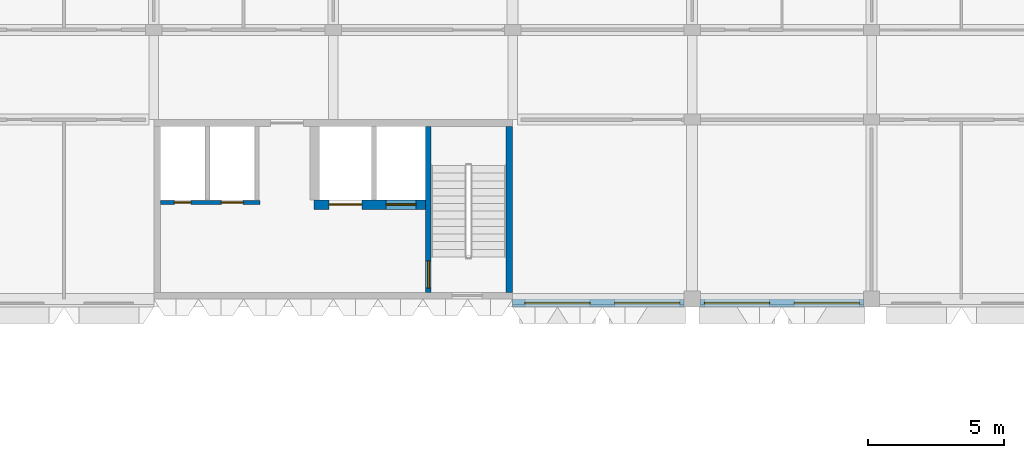
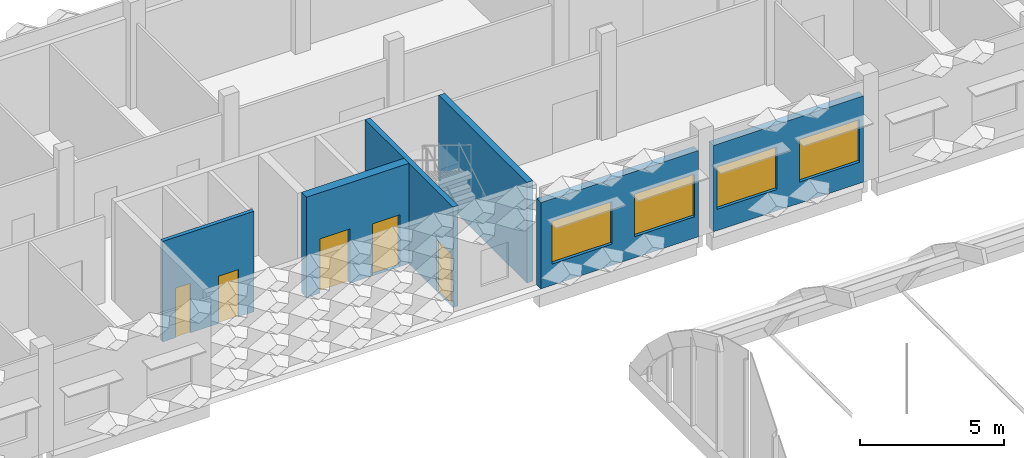
# One storey, part 50 of 102: 6 walls, 5 doors, 4 windows, 9 openings.
"""IFC4 building model written with IfcOpenShell, lengths in metres."""

import ifcopenshell
import ifcopenshell.guid

model = None  # the IFC model being written
_history = None  # IfcOwnerHistory: only IFC2X3 demands one
_inside = {}  # id of a spatial element -> (the spatial element, [elements in it])
_under = {}  # id of a project, library or spatial element -> (it, [spatial elements below it])
_declared = {}  # id of a project -> (the project, [libraries it declares])
_typed = {}  # id of a type object -> (the type object, [elements of that type])
_made_of = {}  # id of a material, layer set ... -> (it, [elements and type objects made of it])


def new_model(schema):
    """Start an empty IFC model of exactly this schema.

    Asked for "IFC4X3", IfcOpenShell would pick the latest addendum, in which some entities
    have other attributes; the version numbers below select the first issue.
    IFC2X3 requires an IfcOwnerHistory on every rooted entity: one is made here for all.
    """
    global model, _history
    if schema == "IFC4X3":
        model = ifcopenshell.file(schema_version=(4, 3, 0, 0))
    else:
        model = ifcopenshell.file(schema=schema)
    _inside.clear()
    _under.clear()
    _declared.clear()
    _typed.clear()
    _made_of.clear()
    _history = None
    if model.schema == "IFC2X3":
        org = make("IfcOrganization", Name="unknown")
        user = make(
            "IfcPersonAndOrganization",
            ThePerson=make("IfcPerson", FamilyName="unknown"),
            TheOrganization=org,
        )
        app = make(
            "IfcApplication",
            ApplicationDeveloper=org,
            Version="unknown",
            ApplicationFullName="unknown",
            ApplicationIdentifier="unknown",
        )
        _history = make(
            "IfcOwnerHistory",
            OwningUser=user,
            OwningApplication=app,
            ChangeAction="ADDED",
            CreationDate=0,
        )
    return model


def make(cls, **values):
    """One entity of the class cls with the attributes given. An attribute that is None is left unset."""
    return model.create_entity(
        cls, **{name: value for name, value in values.items() if value is not None}
    )


def rooted(cls, **values):
    """An entity with a GlobalId (a new one), such as an element, a storey or a relation."""
    return make(cls, GlobalId=ifcopenshell.guid.new(), OwnerHistory=_history, **values)


def si_unit(unit_type, name, prefix=None):
    """IfcSIUnit, for example si_unit("LENGTHUNIT", "METRE", prefix="MILLI")."""
    return make("IfcSIUnit", UnitType=unit_type, Prefix=prefix, Name=name)


def assignment(units):
    """IfcUnitAssignment: the units of a project."""
    return None if units is None else make("IfcUnitAssignment", Units=units)


def point(xyz):
    """IfcCartesianPoint."""
    return None if xyz is None else make("IfcCartesianPoint", Coordinates=xyz)


def direction(xyz):
    """IfcDirection."""
    return None if xyz is None else make("IfcDirection", DirectionRatios=xyz)


def frame(location, z_axis=None, x_axis=None):
    """IfcAxis2Placement3D, a coordinate frame: its origin and axes. An axis left out is left unset."""
    return make(
        "IfcAxis2Placement3D",
        Location=point(location),
        Axis=direction(z_axis),
        RefDirection=direction(x_axis),
    )


def frame_2d(location, x_axis=None):
    """IfcAxis2Placement2D, a coordinate frame in the plane: its origin and x axis."""
    return make(
        "IfcAxis2Placement2D", Location=point(location), RefDirection=direction(x_axis)
    )


def origin():
    """The frame at (0, 0, 0) with its axes left unset."""
    return frame((0.0, 0.0, 0.0))


def place(relative_to, where):
    """IfcLocalPlacement: puts the frame where relative to a parent placement (None: the world)."""
    return make(
        "IfcLocalPlacement", PlacementRelTo=relative_to, RelativePlacement=where
    )


def context(
    kind, dimensions, precision=None, world=None, true_north=None, identifier=None
):
    """IfcGeometricRepresentationContext, for example the 3D "Model" context."""
    return make(
        "IfcGeometricRepresentationContext",
        ContextIdentifier=identifier,
        ContextType=kind,
        CoordinateSpaceDimension=dimensions,
        Precision=precision,
        WorldCoordinateSystem=world,
        TrueNorth=true_north,
    )


def subcontext(parent, identifier, kind, view, scale=None):
    """IfcGeometricRepresentationSubContext, for example "Body" below "Model"."""
    return make(
        "IfcGeometricRepresentationSubContext",
        ContextIdentifier=identifier,
        ContextType=kind,
        ParentContext=parent,
        TargetScale=scale,
        TargetView=view,
    )


def project(units=None, contexts=None):
    """IfcProject with its units and contexts."""
    return rooted(
        "IfcProject",
        Name="project",
        RepresentationContexts=contexts,
        UnitsInContext=assignment(units),
    )


def spatial(cls, under=None, at=None, **own):
    """A site, building, storey or space (cls), placed at a placement, below another one or the project."""
    s = rooted(cls, ObjectPlacement=at, **own)
    if under is not None:
        _under.setdefault(under.id(), (under, []))[1].append(s)
    return s


def profile(cls, at=None, kind="AREA", **sizes):
    """A parametric profile (cls). Its sizes go by their IFC names, for example OverallWidth=200.0."""
    return make(cls, ProfileType=kind, Position=at, **sizes)


def rectangle(**sizes):
    """IfcRectangleProfileDef."""
    return profile("IfcRectangleProfileDef", **sizes)


def extrude(swept, where, along, depth):
    """IfcExtrudedAreaSolid: the profile swept, set in the frame where, extruded along a direction by depth."""
    return make(
        "IfcExtrudedAreaSolid",
        SweptArea=swept,
        Position=where,
        ExtrudedDirection=direction(along),
        Depth=depth,
    )


def shape(context_of_items, identifier, shape_type, items):
    """IfcShapeRepresentation: the items that make up one representation, for example the "Body"."""
    return make(
        "IfcShapeRepresentation",
        ContextOfItems=context_of_items,
        RepresentationIdentifier=identifier,
        RepresentationType=shape_type,
        Items=items,
    )


def material(Name=None, Category=None):
    """IfcMaterial."""
    return make("IfcMaterial", Name=Name, Category=Category)


def layer(
    of_material, thickness, ventilated=None, Name=None, Category=None, Priority=None
):
    """IfcMaterialLayer: one layer of a wall or slab, of a material (None: an air gap)."""
    return make(
        "IfcMaterialLayer",
        Material=of_material,
        LayerThickness=thickness,
        IsVentilated=ventilated,
        Name=Name,
        Category=Category,
        Priority=Priority,
    )


def layer_set(layers, Name=None):
    """IfcMaterialLayerSet."""
    return make("IfcMaterialLayerSet", MaterialLayers=layers, LayerSetName=Name)


def made_of(thing, what):
    """Note that an element or type object is made of a material, layer set ...; save() writes the relation."""
    if what is not None:
        _made_of.setdefault(what.id(), (what, []))[1].append(thing)
    return thing


def type_object(cls, material=None, **own):
    """A type object (cls), such as IfcWallType, which elements share."""
    return made_of(rooted(cls, **own), material)


def element(
    cls,
    number,
    at=None,
    inside=None,
    cuts=None,
    type_object=None,
    material=None,
    context=None,
    identifier="Body",
    shape_type=None,
    held_by="IfcProductDefinitionShape",
    body=None,
    shapes=None,
    **own,
):
    """One element of the class cls, such as IfcWall. Its Tag is "e" and its number.

    at: its placement. inside: the storey or other place that contains it. cuts: it is an
    opening in that element (IfcRelVoidsElement). A single representation is given by context,
    identifier, shape_type and body (its items); several are given by shapes. held_by: the class
    of the entity that holds the representations. save() writes the other relations.
    """
    e = rooted(cls, Tag="e%d" % number, ObjectPlacement=at, **own)
    if body is not None:
        shapes = [shape(context, identifier, shape_type, body)]
    if shapes is not None:
        e.Representation = make(held_by, Representations=shapes)
    if inside is not None:
        _inside.setdefault(inside.id(), (inside, []))[1].append(e)
    if cuts is not None:
        rooted(
            "IfcRelVoidsElement", RelatingBuildingElement=cuts, RelatedOpeningElement=e
        )
    if type_object is not None:
        _typed.setdefault(type_object.id(), (type_object, []))[1].append(e)
    return made_of(e, material)


def fill(opening, filler):
    """IfcRelFillsElement: the door or window that sits in an opening."""
    return rooted(
        "IfcRelFillsElement",
        RelatingOpeningElement=opening,
        RelatedBuildingElement=filler,
    )


def aggregate(whole, parts):
    """IfcRelAggregates: a whole, such as a stair, and the parts it consists of."""
    return rooted("IfcRelAggregates", RelatingObject=whole, RelatedObjects=parts)


def save(model, path):
    """Write the relations noted so far, then the file.

    IfcRelAggregates (storeys below a building ...), IfcRelContainedInSpatialStructure (elements
    in a storey), IfcRelDefinesByType, IfcRelAssociatesMaterial and IfcRelDeclares: one each for
    every whole, place, type object, material and project.
    """
    for whole, parts in _under.values():
        aggregate(whole, parts)
    for where, things in _inside.values():
        rooted(
            "IfcRelContainedInSpatialStructure",
            RelatedElements=things,
            RelatingStructure=where,
        )
    for kind, things in _typed.values():
        rooted("IfcRelDefinesByType", RelatedObjects=things, RelatingType=kind)
    for what, things in _made_of.values():
        rooted("IfcRelAssociatesMaterial", RelatedObjects=things, RelatingMaterial=what)
    for by, libraries in _declared.values():
        rooted("IfcRelDeclares", RelatingContext=by, RelatedDefinitions=libraries)
    model.write(path)


model = new_model("IFC4")

# Units and contexts
model_context = context("Model", 3, precision=1e-05, world=origin(), true_north=direction((0.0, 1.0)))
body_context = subcontext(model_context, "Body", "Model", "MODEL_VIEW")
ifc_project = project(units=[si_unit("LENGTHUNIT", "METRE"), si_unit("AREAUNIT", "SQUARE_METRE"), si_unit("VOLUMEUNIT", "CUBIC_METRE"), si_unit("PLANEANGLEUNIT", "RADIAN"), si_unit("MASSUNIT", "GRAM", prefix="KILO")], contexts=[model_context])

# Site, building, storey
site_placement = place(None, origin())
site = spatial("IfcSite", under=ifc_project, at=site_placement, CompositionType="ELEMENT")
building_placement = place(site_placement, origin())
building = spatial("IfcBuilding", under=site, at=building_placement, Name="Lantern Court Research Institute", CompositionType="ELEMENT")
storey_placement = place(building_placement, frame((0.0, 0.0, 9.89990234375)))
storey = spatial("IfcBuildingStorey", under=building, at=storey_placement, Name="L02", CompositionType="ELEMENT", Elevation=9.89990234375)

# Wall, openings, windows
ifc_material_1 = material(Name="Concrete C30/37", Category="concrete")
ifc_layer_1 = layer(ifc_material_1, 0.300048828125)
ifc_layer_set_1 = layer_set([ifc_layer_1], Name="Concrete C30/37")
wall_type_1 = type_object("IfcWallType", Name="Insulated concrete infill wall 300", PredefinedType="STANDARD", material=ifc_layer_set_1)
wall_1_placement = place(storey_placement, frame((59.10009765625, 82.35009765625, 0.0), z_axis=(0.0, 0.0, 1.0), x_axis=(-1.0, 0.0, 0.0)))
wall_1 = element("IfcWall", 1, at=wall_1_placement, inside=storey, type_object=wall_type_1, Name="Exterior wall EW162", PredefinedType="STANDARD", context=body_context, shape_type="SweptSolid", body=[
    extrude(rectangle(XDim=6.300048828125, YDim=0.300048828125, at=frame_2d((3.14990234375, 0.0))), origin(), (0.0, 0.0, 1.0), 3.650146484375),
])
opening_1_placement = place(wall_1_placement, frame((3.449951171875, 0.0, 0.89990234375)))
opening_1 = element("IfcOpeningElement", 2, at=opening_1_placement, cuts=wall_1, Name="Opening W13", PredefinedType="OPENING", context=body_context, shape_type="SweptSolid", body=[
    extrude(rectangle(XDim=2.39990234375, YDim=1.800048828125, at=frame_2d((1.199951171875, 0.89990234375))), frame((0.0, 0.159912109375, 0.0), z_axis=(0.0, -1.0, 0.0), x_axis=(1.0, 0.0, 0.0)), (0.0, 0.0, 1.0), 0.320068359375),
])
opening_2_placement = place(wall_1_placement, frame((0.14990234375, 0.0, 0.89990234375)))
opening_2 = element("IfcOpeningElement", 3, at=opening_2_placement, cuts=wall_1, Name="Opening W13", PredefinedType="OPENING", context=body_context, shape_type="SweptSolid", body=[
    extrude(rectangle(XDim=2.39990234375, YDim=1.800048828125, at=frame_2d((1.199951171875, 0.89990234375))), frame((0.0, 0.159912109375, 0.0), z_axis=(0.0, -1.0, 0.0), x_axis=(1.0, 0.0, 0.0)), (0.0, 0.0, 1.0), 0.320068359375),
])
ifc_material_2 = material(Name="Aluminium frame with laminated low-emissivity glazing", Category="aluminium")
window_type = type_object("IfcWindowType", Name="Seminar window 2400 x 1800", PartitioningType="SINGLE_PANEL", PredefinedType="WINDOW", material=ifc_material_2)
window_1_placement = place(opening_1_placement, origin())
window_1 = element("IfcWindow", 4, at=window_1_placement, inside=storey, type_object=window_type, Name="Window W13 V6S L02", OverallHeight=1.800048828125, OverallWidth=2.39990234375, PartitioningType="SINGLE_PANEL", PredefinedType="WINDOW", context=body_context, shape_type="SweptSolid", body=[
    extrude(rectangle(XDim=2.39990234375, YDim=1.800048828125, at=frame_2d((1.199951171875, 0.89990234375))), frame((0.0, 0.030029296875, 0.0), z_axis=(0.0, -1.0, 0.0), x_axis=(1.0, 0.0, 0.0)), (0.0, 0.0, 1.0), 0.06005859375),
])
fill(opening_1, window_1)
window_2_placement = place(opening_2_placement, origin())
window_2 = element("IfcWindow", 5, at=window_2_placement, inside=storey, type_object=window_type, Name="Window W13 V6S L02", OverallHeight=1.800048828125, OverallWidth=2.39990234375, PartitioningType="SINGLE_PANEL", PredefinedType="WINDOW", context=body_context, shape_type="SweptSolid", body=[
    extrude(rectangle(XDim=2.39990234375, YDim=1.800048828125, at=frame_2d((1.199951171875, 0.89990234375))), frame((0.0, 0.030029296875, 0.0), z_axis=(0.0, -1.0, 0.0), x_axis=(1.0, 0.0, 0.0)), (0.0, 0.0, 1.0), 0.06005859375),
])
fill(opening_2, window_2)

wall_2_placement = place(storey_placement, frame((65.699951171875, 82.35009765625, 0.0), z_axis=(0.0, 0.0, 1.0), x_axis=(-1.0, 0.0, 0.0)))
wall_2 = element("IfcWall", 6, at=wall_2_placement, inside=storey, type_object=wall_type_1, Name="Exterior wall EW163", PredefinedType="STANDARD", context=body_context, shape_type="SweptSolid", body=[
    extrude(rectangle(XDim=6.0, YDim=0.300048828125, at=frame_2d((3.0, 0.0))), origin(), (0.0, 0.0, 1.0), 3.650146484375),
])
opening_3_placement = place(wall_2_placement, frame((3.449951171875, 0.0, 0.89990234375)))
opening_3 = element("IfcOpeningElement", 7, at=opening_3_placement, cuts=wall_2, Name="Opening W13", PredefinedType="OPENING", context=body_context, shape_type="SweptSolid", body=[
    extrude(rectangle(XDim=2.39990234375, YDim=1.800048828125, at=frame_2d((1.199951171875, 0.89990234375))), frame((0.0, 0.159912109375, 0.0), z_axis=(0.0, -1.0, 0.0), x_axis=(1.0, 0.0, 0.0)), (0.0, 0.0, 1.0), 0.320068359375),
])
opening_4_placement = place(wall_2_placement, frame((0.14990234375, 0.0, 0.89990234375)))
opening_4 = element("IfcOpeningElement", 8, at=opening_4_placement, cuts=wall_2, Name="Opening W13", PredefinedType="OPENING", context=body_context, shape_type="SweptSolid", body=[
    extrude(rectangle(XDim=2.39990234375, YDim=1.800048828125, at=frame_2d((1.199951171875, 0.89990234375))), frame((0.0, 0.159912109375, 0.0), z_axis=(0.0, -1.0, 0.0), x_axis=(1.0, 0.0, 0.0)), (0.0, 0.0, 1.0), 0.320068359375),
])
window_3_placement = place(opening_3_placement, origin())
window_3 = element("IfcWindow", 9, at=window_3_placement, inside=storey, type_object=window_type, Name="Window W13 V6S L02", OverallHeight=1.800048828125, OverallWidth=2.39990234375, PartitioningType="SINGLE_PANEL", PredefinedType="WINDOW", context=body_context, shape_type="SweptSolid", body=[
    extrude(rectangle(XDim=2.39990234375, YDim=1.800048828125, at=frame_2d((1.199951171875, 0.89990234375))), frame((0.0, 0.030029296875, 0.0), z_axis=(0.0, -1.0, 0.0), x_axis=(1.0, 0.0, 0.0)), (0.0, 0.0, 1.0), 0.06005859375),
])
fill(opening_3, window_3)
window_4_placement = place(opening_4_placement, origin())
window_4 = element("IfcWindow", 10, at=window_4_placement, inside=storey, type_object=window_type, Name="Window W13 V6S L02", OverallHeight=1.800048828125, OverallWidth=2.39990234375, PartitioningType="SINGLE_PANEL", PredefinedType="WINDOW", context=body_context, shape_type="SweptSolid", body=[
    extrude(rectangle(XDim=2.39990234375, YDim=1.800048828125, at=frame_2d((1.199951171875, 0.89990234375))), frame((0.0, 0.030029296875, 0.0), z_axis=(0.0, -1.0, 0.0), x_axis=(1.0, 0.0, 0.0)), (0.0, 0.0, 1.0), 0.06005859375),
])
fill(opening_4, window_4)

# Wall
ifc_material_3 = material(Name="Concrete C40/50", Category="concrete")
ifc_layer_2 = layer(ifc_material_3, 0.25)
ifc_layer_set_2 = layer_set([ifc_layer_2], Name="Concrete C40/50")
wall_type_2 = type_object("IfcWallType", Name="RC core wall 250", PredefinedType="SHEAR", material=ifc_layer_set_2)
wall_3_placement = place(storey_placement, frame((52.675048828125, 88.85009765625, 0.0), z_axis=(0.0, 0.0, 1.0), x_axis=(0.0, -1.0, 0.0)))
element("IfcWall", 11, at=wall_3_placement, inside=storey, type_object=wall_type_2, Name="East wall of core WC-M", PredefinedType="SHEAR", context=body_context, shape_type="SweptSolid", body=[
    extrude(rectangle(XDim=6.10009765625, YDim=0.25, at=frame_2d((3.050048828125, 0.0))), origin(), (0.0, 0.0, 1.0), 4.25),
])

# Wall, openings, doors
ifc_material_4 = material(Name="Concrete C40/50", Category="concrete")
ifc_layer_3 = layer(ifc_material_4, 0.14990234375)
ifc_layer_set_3 = layer_set([ifc_layer_3], Name="Concrete C40/50")
wall_type_3 = type_object("IfcWallType", Name="RC shaft wall 150", PredefinedType="SHEAR", material=ifc_layer_set_3)
wall_4_placement = place(storey_placement, frame((43.5, 86.050048828125, 0.0), z_axis=(0.0, 0.0, 1.0), x_axis=(-1.0, 0.0, 0.0)))
wall_4 = element("IfcWall", 12, at=wall_4_placement, inside=storey, type_object=wall_type_3, Name="Riser wall of core WC-M", PredefinedType="SHEAR", context=body_context, shape_type="SweptSolid", body=[
    extrude(rectangle(XDim=3.64990234375, YDim=0.14990234375, at=frame_2d((1.824951171875, 0.0))), origin(), (0.0, 0.0, 1.0), 4.25),
])
opening_5_placement = place(wall_4_placement, frame((0.612548828125, 0.0, 0.0)))
opening_5 = element("IfcOpeningElement", 13, at=opening_5_placement, cuts=wall_4, Name="Opening D7237", PredefinedType="OPENING", context=body_context, shape_type="SweptSolid", body=[
    extrude(rectangle(XDim=0.800048828125, YDim=2.0, at=frame_2d((0.39990234375, 1.0))), frame((0.0, 0.0849609375, 0.0), z_axis=(0.0, -1.0, 0.0), x_axis=(1.0, 0.0, 0.0)), (0.0, 0.0, 1.0), 0.169921875),
])
opening_6_placement = place(wall_4_placement, frame((2.53759765625, 0.0, 0.0)))
opening_6 = element("IfcOpeningElement", 14, at=opening_6_placement, cuts=wall_4, Name="Opening D7238", PredefinedType="OPENING", context=body_context, shape_type="SweptSolid", body=[
    extrude(rectangle(XDim=0.60009765625, YDim=2.10009765625, at=frame_2d((0.300048828125, 1.050048828125))), frame((0.0, 0.0849609375, 0.0), z_axis=(0.0, -1.0, 0.0), x_axis=(1.0, 0.0, 0.0)), (0.0, 0.0, 1.0), 0.169921875),
])
ifc_material_5 = material(Name="Steel fire door leaf", Category="steel")
door_type_1 = type_object("IfcDoorType", Name="Door 600 x 2100 fire rated FD60", OperationType="NOTDEFINED", PredefinedType="DOOR", material=ifc_material_5)
door_1_placement = place(opening_6_placement, origin())
door_1 = element("IfcDoor", 15, at=door_1_placement, inside=storey, type_object=door_type_1, Name="Riser door", OperationType="SINGLE_SWING_RIGHT", OverallHeight=2.10009765625, OverallWidth=0.60009765625, PredefinedType="DOOR", context=body_context, shape_type="SweptSolid", body=[
    extrude(rectangle(XDim=0.60009765625, YDim=2.10009765625, at=frame_2d((0.300048828125, 1.050048828125))), frame((0.0, 0.02490234375, 0.0), z_axis=(0.0, -1.0, 0.0), x_axis=(1.0, 0.0, 0.0)), (0.0, 0.0, 1.0), 0.050048828125),
])
fill(opening_6, door_1)
ifc_material_6 = material(Name="Steel fire door leaf", Category="steel")
door_type_2 = type_object("IfcDoorType", Name="Door 800 x 2000 fire rated FD60", OperationType="NOTDEFINED", PredefinedType="DOOR", material=ifc_material_6)
door_2_placement = place(opening_5_placement, origin())
door_2 = element("IfcDoor", 16, at=door_2_placement, inside=storey, type_object=door_type_2, Name="Riser door", OperationType="SINGLE_SWING_RIGHT", OverallHeight=2.0, OverallWidth=0.800048828125, PredefinedType="DOOR", context=body_context, shape_type="SweptSolid", body=[
    extrude(rectangle(XDim=0.800048828125, YDim=2.0, at=frame_2d((0.39990234375, 1.0))), frame((0.0, 0.02490234375, 0.0), z_axis=(0.0, -1.0, 0.0), x_axis=(1.0, 0.0, 0.0)), (0.0, 0.0, 1.0), 0.050048828125),
])
fill(opening_5, door_2)

# Wall, opening, door
ifc_material_7 = material(Name="Concrete C40/50", Category="concrete")
ifc_layer_4 = layer(ifc_material_7, 0.199951171875)
ifc_layer_set_4 = layer_set([ifc_layer_4], Name="Concrete C40/50")
wall_type_4 = type_object("IfcWallType", Name="RC shaft wall 200", PredefinedType="SHEAR", material=ifc_layer_set_4)
wall_5_placement = place(storey_placement, frame((49.699951171875, 88.85009765625, 0.0), z_axis=(0.0, 0.0, 1.0), x_axis=(0.0, -1.0, 0.0)))
wall_5 = element("IfcWall", 17, at=wall_5_placement, inside=storey, type_object=wall_type_4, Name="Stair wall of core WC-M", PredefinedType="SHEAR", context=body_context, shape_type="SweptSolid", body=[
    extrude(rectangle(XDim=6.10009765625, YDim=0.199951171875, at=frame_2d((3.050048828125, 0.0))), origin(), (0.0, 0.0, 1.0), 4.25),
])
opening_7_placement = place(wall_5_placement, frame((4.949951171875, 0.0, 0.0)))
opening_7 = element("IfcOpeningElement", 18, at=opening_7_placement, cuts=wall_5, Name="Opening D7239", PredefinedType="OPENING", context=body_context, shape_type="SweptSolid", body=[
    extrude(rectangle(XDim=1.0, YDim=2.199951171875, at=frame_2d((0.5, 1.10009765625))), frame((0.0, 0.10986328125, 0.0), z_axis=(0.0, -1.0, 0.0), x_axis=(1.0, 0.0, 0.0)), (0.0, 0.0, 1.0), 0.219970703125),
])
ifc_material_8 = material(Name="Steel fire door leaf with smoke seals", Category="steel")
door_type_3 = type_object("IfcDoorType", Name="Door 1000 x 2200 fire rated FD60S", OperationType="NOTDEFINED", PredefinedType="DOOR", material=ifc_material_8)
door_3_placement = place(opening_7_placement, origin())
door_3 = element("IfcDoor", 19, at=door_3_placement, inside=storey, type_object=door_type_3, Name="Stair door", OperationType="SINGLE_SWING_LEFT", OverallHeight=2.199951171875, OverallWidth=1.0, PredefinedType="DOOR", context=body_context, shape_type="SweptSolid", body=[
    extrude(rectangle(XDim=1.0, YDim=2.199951171875, at=frame_2d((0.5, 1.10009765625))), frame((0.0, 0.02490234375, 0.0), z_axis=(0.0, -1.0, 0.0), x_axis=(1.0, 0.0, 0.0)), (0.0, 0.0, 1.0), 0.050048828125),
])
fill(opening_7, door_3)

# Wall, openings, doors
ifc_material_9 = material(Name="Concrete C40/50", Category="concrete")
ifc_layer_5 = layer(ifc_material_9, 0.35009765625)
ifc_layer_set_5 = layer_set([ifc_layer_5], Name="Concrete C40/50")
wall_type_5 = type_object("IfcWallType", Name="RC shaft wall 350", PredefinedType="SHEAR", material=ifc_layer_set_5)
wall_6_placement = place(storey_placement, frame((49.60009765625, 85.97509765625, 0.0), z_axis=(0.0, 0.0, 1.0), x_axis=(-1.0, 0.0, 0.0)))
wall_6 = element("IfcWall", 20, at=wall_6_placement, inside=storey, type_object=wall_type_5, Name="Lift shaft wall of core WC-M", PredefinedType="SHEAR", context=body_context, shape_type="SweptSolid", body=[
    extrude(rectangle(XDim=4.10009765625, YDim=0.35009765625, at=frame_2d((2.050048828125, 0.0))), origin(), (0.0, 0.0, 1.0), 4.25),
])
opening_8_placement = place(wall_6_placement, frame((0.35009765625, 0.0, 0.0)))
opening_8 = element("IfcOpeningElement", 21, at=opening_8_placement, cuts=wall_6, Name="Opening D7240", PredefinedType="OPENING", context=body_context, shape_type="SweptSolid", body=[
    extrude(rectangle(XDim=1.10009765625, YDim=2.199951171875, at=frame_2d((0.550048828125, 1.10009765625))), frame((0.0, 0.18505859375, 0.0), z_axis=(0.0, -1.0, 0.0), x_axis=(1.0, 0.0, 0.0)), (0.0, 0.0, 1.0), 0.3701171875),
])
opening_9_placement = place(wall_6_placement, frame((2.35009765625, 0.0, 0.0)))
opening_9 = element("IfcOpeningElement", 22, at=opening_9_placement, cuts=wall_6, Name="Opening D7241", PredefinedType="OPENING", context=body_context, shape_type="SweptSolid", body=[
    extrude(rectangle(XDim=1.199951171875, YDim=2.300048828125, at=frame_2d((0.60009765625, 1.14990234375))), frame((0.0, 0.18505859375, 0.0), z_axis=(0.0, -1.0, 0.0), x_axis=(1.0, 0.0, 0.0)), (0.0, 0.0, 1.0), 0.3701171875),
])
ifc_material_10 = material(Name="Stainless steel landing door panels", Category="steel")
door_type_4 = type_object("IfcDoorType", Name="Lift landing door 1100 x 2200 sliding FD60", OperationType="DOUBLE_DOOR_SLIDING", PredefinedType="NOTDEFINED", material=ifc_material_10)
door_4_placement = place(opening_8_placement, origin())
door_4 = element("IfcDoor", 23, at=door_4_placement, inside=storey, type_object=door_type_4, Name="Landing door", OperationType="DOUBLE_DOOR_SLIDING", OverallHeight=2.199951171875, OverallWidth=1.10009765625, PredefinedType="NOTDEFINED", context=body_context, shape_type="SweptSolid", body=[
    extrude(rectangle(XDim=1.10009765625, YDim=2.199951171875, at=frame_2d((0.550048828125, 1.10009765625))), frame((0.0, 0.02490234375, 0.0), z_axis=(0.0, -1.0, 0.0), x_axis=(1.0, 0.0, 0.0)), (0.0, 0.0, 1.0), 0.050048828125),
])
fill(opening_8, door_4)
ifc_material_11 = material(Name="Stainless steel landing door panels", Category="steel")
door_type_5 = type_object("IfcDoorType", Name="Lift landing door 1200 x 2300 sliding FD60", OperationType="DOUBLE_DOOR_SLIDING", PredefinedType="NOTDEFINED", material=ifc_material_11)
door_5_placement = place(opening_9_placement, origin())
door_5 = element("IfcDoor", 24, at=door_5_placement, inside=storey, type_object=door_type_5, Name="Landing door", OperationType="DOUBLE_DOOR_SLIDING", OverallHeight=2.300048828125, OverallWidth=1.199951171875, PredefinedType="NOTDEFINED", context=body_context, shape_type="SweptSolid", body=[
    extrude(rectangle(XDim=1.199951171875, YDim=2.300048828125, at=frame_2d((0.60009765625, 1.14990234375))), frame((0.0, 0.02490234375, 0.0), z_axis=(0.0, -1.0, 0.0), x_axis=(1.0, 0.0, 0.0)), (0.0, 0.0, 1.0), 0.050048828125),
])
fill(opening_9, door_5)

save(model, "model.ifc")
